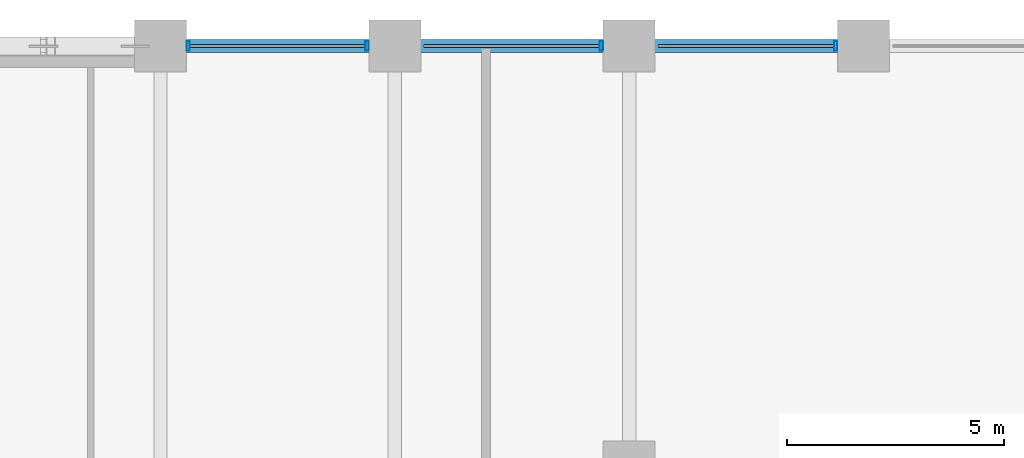
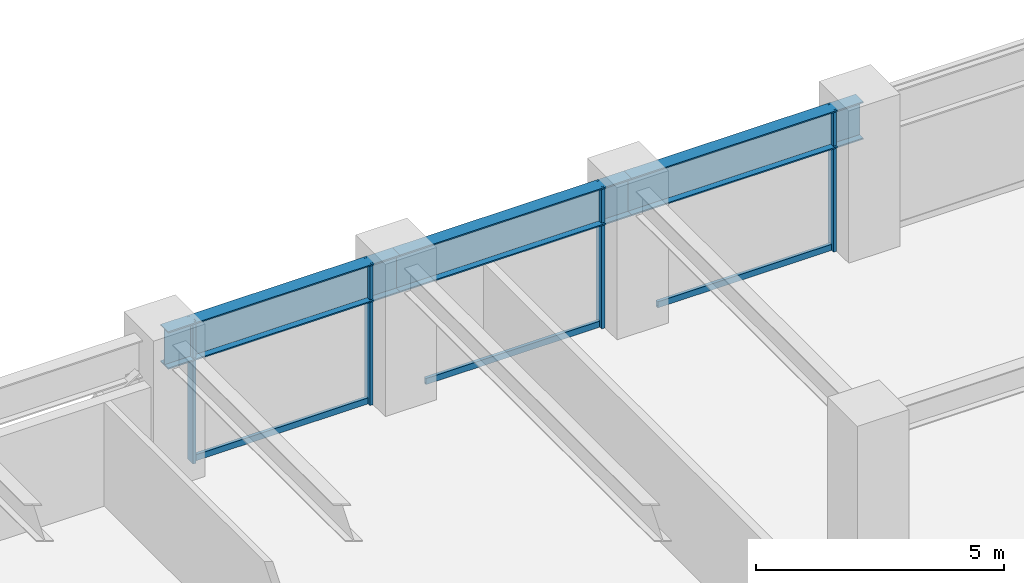
# One storey, part 15 of 26: 7 members, 3 beams, 1 element without a shape of its own.
"""IFC4 building model written with IfcOpenShell, lengths in metres."""

from ifc_helpers import new_model, si_unit, direction, frame, origin, origin_2d, place, context, subcontext, project, spatial, hollow_rectangle, i_section, extrude, material, layer, layer_set, material_profile, profile_set, type_object, element, aggregate, save


model = new_model("IFC4")

# Units and contexts
model_context = context("Model", 3, precision=1e-05, world=origin(), true_north=direction((0.0, 1.0)))
body_context = subcontext(model_context, "Body", "Model", "MODEL_VIEW")
ifc_project = project(units=[si_unit("LENGTHUNIT", "METRE"), si_unit("AREAUNIT", "SQUARE_METRE"), si_unit("VOLUMEUNIT", "CUBIC_METRE"), si_unit("PLANEANGLEUNIT", "RADIAN"), si_unit("MASSUNIT", "GRAM", prefix="KILO")], contexts=[model_context])

# Site, building, storey
site_placement = place(None, origin())
site = spatial("IfcSite", under=ifc_project, at=site_placement, CompositionType="ELEMENT")
building_placement = place(site_placement, origin())
building = spatial("IfcBuilding", under=site, at=building_placement, Name="Surkhivell Harbour Commons", CompositionType="ELEMENT")
storey_placement = place(building_placement, frame((0.0, 0.0, 75.0)))
storey = spatial("IfcBuildingStorey", under=building, at=storey_placement, Name="L19", CompositionType="ELEMENT", Elevation=75.0)

# Beams
ifc_material_1 = material(Name="Steel S460", Category="steel")
ifc_material_profile_1 = material_profile(ifc_material_1, i_section(OverallWidth=0.30810546875, OverallDepth=0.927001953125, WebThickness=0.01953125, FlangeThickness=0.031982421875, at=origin_2d()), Name="UB914x305x289")
ifc_profile_set_1 = profile_set([ifc_material_profile_1], Name="Steel S460")
beam_type = type_object("IfcBeamType", Name="BM-SPN-914B", PredefinedType="SPANDREL", material=ifc_profile_set_1)
beam_1_placement = place(storey_placement, frame((5.39990234375, 25.89990234375, 3.03662109375), z_axis=(1.0, 0.0, 0.0), x_axis=(0.0, 1.0, 0.0)))
element("IfcBeam", 1, at=beam_1_placement, inside=storey, type_object=beam_type, Name="L19 Tube Spandrel (5.4,25.9)", PredefinedType="SPANDREL", context=body_context, shape_type="SweptSolid", body=[
    extrude(i_section(OverallWidth=0.30810546875, OverallDepth=0.927001953125, WebThickness=0.01953125, FlangeThickness=0.031982421875, at=origin_2d()), origin(), (0.0, 0.0, 1.0), 5.400146484375),
])
beam_2_placement = place(storey_placement, frame((10.800048828125, 25.89990234375, 3.03662109375), z_axis=(1.0, 0.0, 0.0), x_axis=(0.0, 1.0, 0.0)))
element("IfcBeam", 2, at=beam_2_placement, inside=storey, type_object=beam_type, Name="L19 Tube Spandrel (10.8,25.9)", PredefinedType="SPANDREL", context=body_context, shape_type="SweptSolid", body=[
    extrude(i_section(OverallWidth=0.30810546875, OverallDepth=0.927001953125, WebThickness=0.01953125, FlangeThickness=0.031982421875, at=origin_2d()), origin(), (0.0, 0.0, 1.0), 5.39990234375),
])
beam_3_placement = place(storey_placement, frame((16.199951171875, 25.89990234375, 3.03662109375), z_axis=(1.0, 0.0, 0.0), x_axis=(0.0, 1.0, 0.0)))
element("IfcBeam", 3, at=beam_3_placement, inside=storey, type_object=beam_type, Name="L19 Tube Spandrel (16.2,25.9)", PredefinedType="SPANDREL", context=body_context, shape_type="SweptSolid", body=[
    extrude(i_section(OverallWidth=0.30810546875, OverallDepth=0.927001953125, WebThickness=0.01953125, FlangeThickness=0.031982421875, at=origin_2d()), origin(), (0.0, 0.0, 1.0), 5.400146484375),
])

# Curtain wall, members
ifc_material_2 = material(Name="Anodised pale-metal aluminium and insulated glazing", Category="aluminium")
ifc_layer = layer(ifc_material_2, 0.219970703125)
ifc_layer_set = layer_set([ifc_layer], Name="Anodised pale-metal aluminium and insulated glazing")
curtain_wall_type = type_object("IfcCurtainWallType", Name="CW-SYS-Z1", PredefinedType="NOTDEFINED", material=ifc_layer_set)
curtain_wall_placement = place(storey_placement, origin())
curtain_wall = element("IfcCurtainWall", 4, at=curtain_wall_placement, inside=storey, type_object=curtain_wall_type, Name="L19 Curtain Wall CW-L19-E07S1", PredefinedType="NOTDEFINED")
ifc_material_3 = material(Name="Anodised pale-metal aluminium alloy 6063-T6", Category="aluminium")
ifc_material_profile_2 = material_profile(ifc_material_3, hollow_rectangle(XDim=0.074951171875, YDim=0.219970703125, WallThickness=0.00390625, at=origin_2d()), Name="ALU-MULL-75x220")
ifc_profile_set_2 = profile_set([ifc_material_profile_2], Name="Anodised pale-metal aluminium alloy 6063-T6")
member_type_1 = type_object("IfcMemberType", Name="CWM-220", PredefinedType="MULLION", material=ifc_profile_set_2)
member_1_placement = place(storey_placement, frame((20.96044921875, 25.89990234375, 0.0), z_axis=(0.0, 0.0, 1.0), x_axis=(-1.0, 0.0, 0.0)))
member_1 = element("IfcMember", 5, at=member_1_placement, type_object=member_type_1, Name="CW-Z1 mullion 2", PredefinedType="MULLION", context=body_context, shape_type="SweptSolid", body=[
    extrude(hollow_rectangle(XDim=0.074951171875, YDim=0.219970703125, WallThickness=0.00390625, at=origin_2d()), origin(), (0.0, 0.0, 1.0), 3.5),
])
member_2_placement = place(storey_placement, frame((15.560546875, 25.89990234375, 0.0), z_axis=(0.0, 0.0, 1.0), x_axis=(-1.0, 0.0, 0.0)))
member_2 = element("IfcMember", 6, at=member_2_placement, type_object=member_type_1, Name="CW-Z1 mullion 3", PredefinedType="MULLION", context=body_context, shape_type="SweptSolid", body=[
    extrude(hollow_rectangle(XDim=0.074951171875, YDim=0.219970703125, WallThickness=0.00390625, at=origin_2d()), origin(), (0.0, 0.0, 1.0), 3.5),
])
member_3_placement = place(storey_placement, frame((10.160400390625, 25.89990234375, 0.0), z_axis=(0.0, 0.0, 1.0), x_axis=(-1.0, 0.0, 0.0)))
member_3 = element("IfcMember", 7, at=member_3_placement, type_object=member_type_1, Name="CW-Z1 mullion 4", PredefinedType="MULLION", context=body_context, shape_type="SweptSolid", body=[
    extrude(hollow_rectangle(XDim=0.074951171875, YDim=0.219970703125, WallThickness=0.00390625, at=origin_2d()), origin(), (0.0, 0.0, 1.0), 3.5),
])
member_4_placement = place(storey_placement, frame((6.03955078125, 25.89990234375, 0.0), z_axis=(0.0, 0.0, 1.0), x_axis=(-1.0, 0.0, 0.0)))
member_4 = element("IfcMember", 8, at=member_4_placement, type_object=member_type_1, Name="CW-Z1 mullion 5", PredefinedType="MULLION", context=body_context, shape_type="SweptSolid", body=[
    extrude(hollow_rectangle(XDim=0.074951171875, YDim=0.219970703125, WallThickness=0.00390625, at=origin_2d()), origin(), (0.0, 0.0, 1.0), 3.5),
])
ifc_material_profile_3 = material_profile(ifc_material_3, hollow_rectangle(XDim=0.074951171875, YDim=0.14990234375, WallThickness=0.00341796875, at=origin_2d()), Name="ALU-TRAN-75x150")
ifc_profile_set_3 = profile_set([ifc_material_profile_3], Name="Anodised pale-metal aluminium alloy 6063-T6")
member_type_2 = type_object("IfcMemberType", Name="CWT-150", PredefinedType="USERDEFINED", material=ifc_profile_set_3)
member_5_placement = place(storey_placement, frame((20.923095703125, 25.89990234375, 0.074951171875), z_axis=(-1.0, 0.0, 0.0), x_axis=(0.0, -1.0, 0.0)))
member_5 = element("IfcMember", 9, at=member_5_placement, type_object=member_type_2, Name="CW-Z1 transom 2.1", ObjectType="TRANSOM", PredefinedType="USERDEFINED", context=body_context, shape_type="SweptSolid", body=[
    extrude(hollow_rectangle(XDim=0.074951171875, YDim=0.14990234375, WallThickness=0.00341796875, at=origin_2d()), origin(), (0.0, 0.0, 1.0), 4.046142578125),
])
member_6_placement = place(storey_placement, frame((15.52294921875, 25.89990234375, 0.074951171875), z_axis=(-1.0, 0.0, 0.0), x_axis=(0.0, -1.0, 0.0)))
member_6 = element("IfcMember", 10, at=member_6_placement, type_object=member_type_2, Name="CW-Z1 transom 3.1", ObjectType="TRANSOM", PredefinedType="USERDEFINED", context=body_context, shape_type="SweptSolid", body=[
    extrude(hollow_rectangle(XDim=0.074951171875, YDim=0.14990234375, WallThickness=0.00341796875, at=origin_2d()), origin(), (0.0, 0.0, 1.0), 4.0458984375),
])
member_7_placement = place(storey_placement, frame((10.123046875, 25.89990234375, 0.074951171875), z_axis=(-1.0, 0.0, 0.0), x_axis=(0.0, -1.0, 0.0)))
member_7 = element("IfcMember", 11, at=member_7_placement, type_object=member_type_2, Name="CW-Z1 transom 4.1", ObjectType="TRANSOM", PredefinedType="USERDEFINED", context=body_context, shape_type="SweptSolid", body=[
    extrude(hollow_rectangle(XDim=0.074951171875, YDim=0.14990234375, WallThickness=0.00341796875, at=origin_2d()), origin(), (0.0, 0.0, 1.0), 4.046142578125),
])
aggregate(curtain_wall, [member_1, member_5, member_2, member_6, member_3, member_4, member_7])

save(model, "model.ifc")
